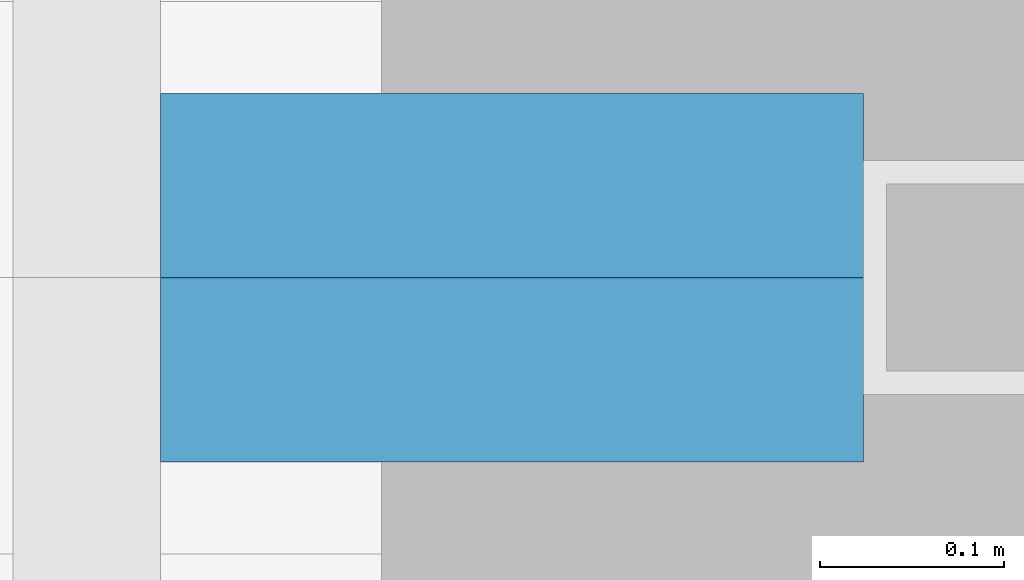
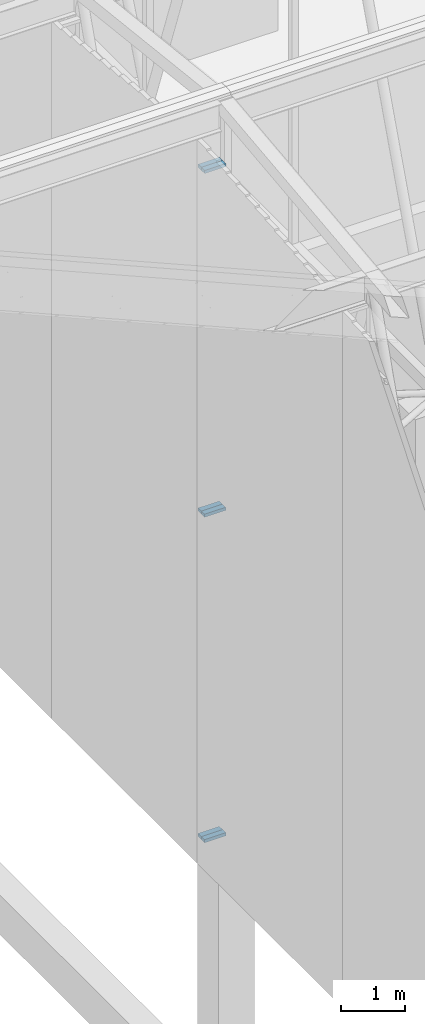
# One storey, part 443 of 500: 6 discrete accessories.
"""IFC4 building model written with IfcOpenShell, lengths in metres."""

from ifc_helpers import new_model, si_unit, direction, frame, origin, origin_2d, place, context, subcontext, project, spatial, rectangle, extrude, material, type_object, element, save


model = new_model("IFC4")

# Units and contexts
model_context = context("Model", 3, precision=1e-05, world=origin(), true_north=direction((0.0, 1.0)))
body_context = subcontext(model_context, "Body", "Model", "MODEL_VIEW")
ifc_project = project(units=[si_unit("LENGTHUNIT", "METRE"), si_unit("AREAUNIT", "SQUARE_METRE"), si_unit("VOLUMEUNIT", "CUBIC_METRE"), si_unit("PLANEANGLEUNIT", "RADIAN"), si_unit("MASSUNIT", "GRAM", prefix="KILO")], contexts=[model_context])

# Site, building, storey
site_placement = place(None, origin())
site = spatial("IfcSite", under=ifc_project, at=site_placement, CompositionType="ELEMENT")
building_placement = place(site_placement, origin())
building = spatial("IfcBuilding", under=site, at=building_placement, Name="Shirokan Park Arena", CompositionType="ELEMENT")
storey_placement = place(building_placement, frame((0.0, 0.0, 29.1201171875)))
storey = spatial("IfcBuildingStorey", under=building, at=storey_placement, Name="L06", CompositionType="ELEMENT", Elevation=29.1201171875)

# Discrete accessories
ifc_material = material(Name="Steel S355", Category="steel")
discrete_accessory_type = type_object("IfcDiscreteAccessoryType", Name="Veil bracket 100x60", PredefinedType="BRACKET", material=ifc_material)
for number, where, z_axis, x_axis, name in (
    (1, (-0.254150390625, 54.550048828125, 4.995849609375), (0.0, 0.0, 1.0), (1.0, 0.0, 0.0), "Veil bracket gable band west bay 14 4"),
    (2, (-0.254150390625, 54.550048828125, 11.2138671875), (0.0, 0.0, 1.0), (1.0, 0.0, 0.0), "Veil bracket gable band west bay 14 5"),
    (3, (-0.254150390625, 54.550048828125, 17.78173828125), (0.0, 0.0, 1.0), (1.0, 0.0, 0.0), "Veil bracket gable band west bay 14 6"),
    (4, (-0.254150390625, 54.64990234375, 4.995849609375), (0.0, 0.0, 1.0), (1.0, 0.0, 0.0), "Veil bracket gable band west bay 15 1"),
    (5, (-0.254150390625, 54.64990234375, 11.2138671875), (0.0, 0.0, 1.0), (1.0, 0.0, 0.0), "Veil bracket gable band west bay 15 2"),
    (6, (-0.254150390625, 54.64990234375, 17.78173828125), (0.0, 0.0, 1.0), (1.0, 0.0, 0.0), "Veil bracket gable band west bay 15 3"),
):
    element("IfcDiscreteAccessory", number, at=place(storey_placement, frame(where, z_axis=z_axis, x_axis=x_axis)), inside=storey, type_object=discrete_accessory_type, Name=name, PredefinedType="BRACKET", context=body_context, shape_type="SweptSolid", body=[
        extrude(rectangle(XDim=0.381591796875, YDim=0.10009765625, at=origin_2d()), origin(), (0.0, 0.0, 1.0), 0.06005859375),
    ])

save(model, "model.ifc")
